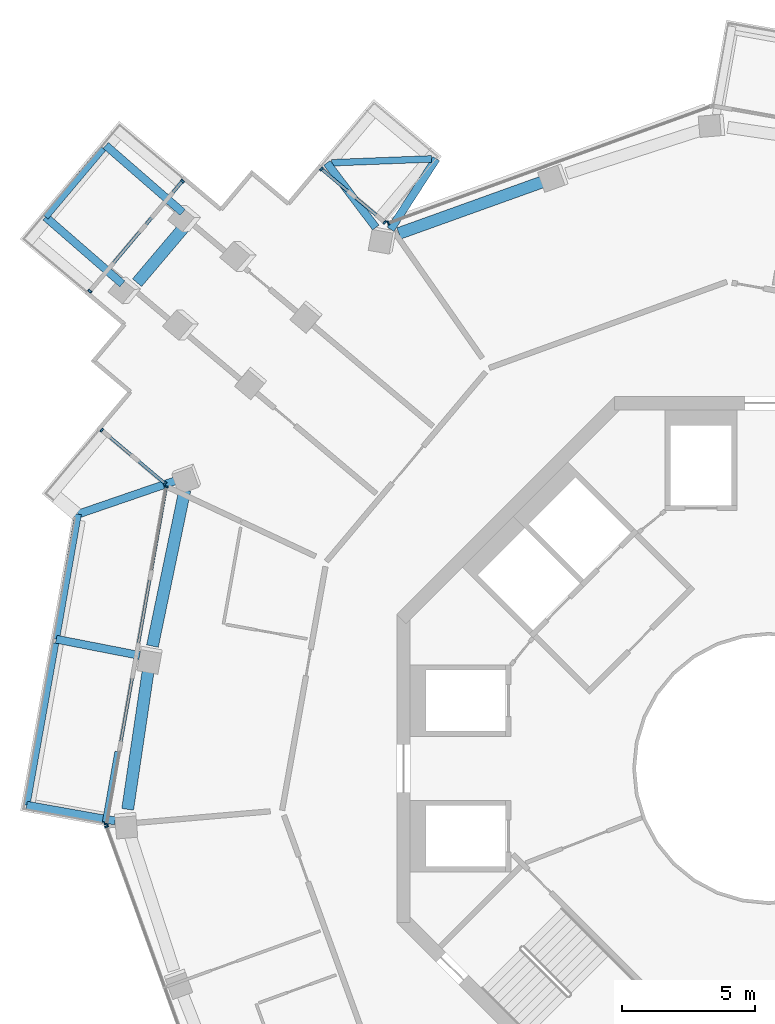
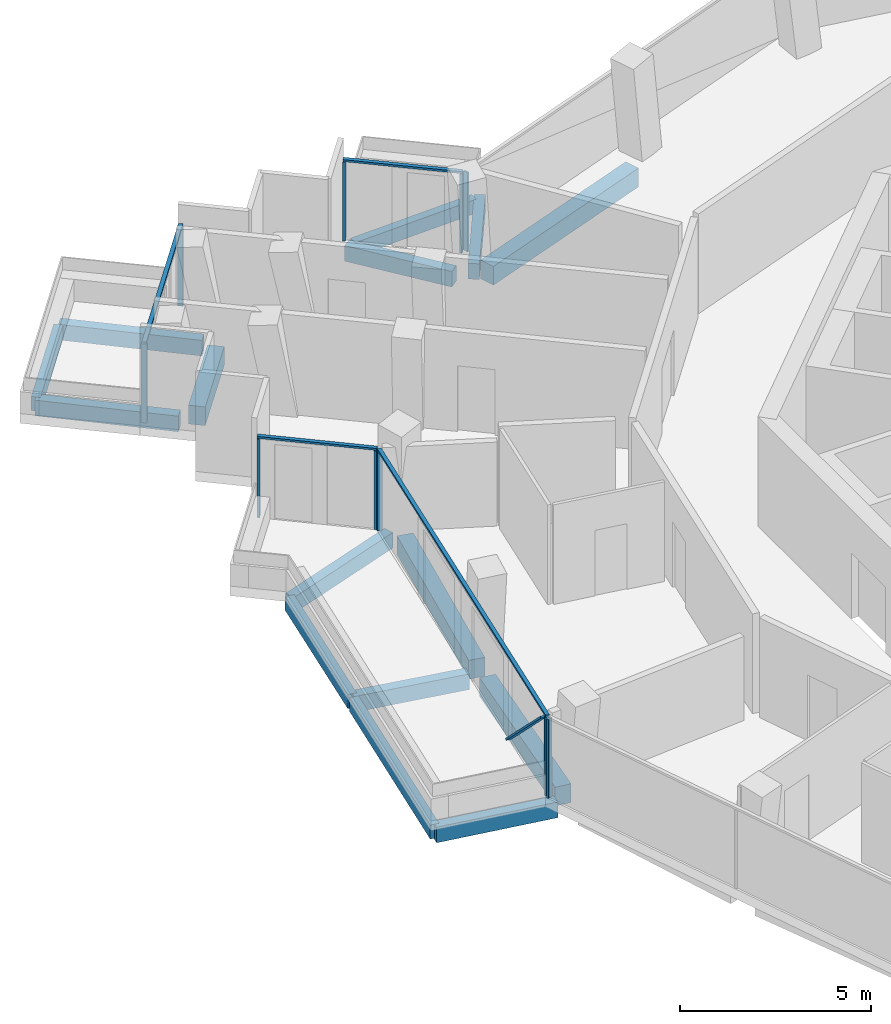
# One storey, part 5 of 22: 15 beams, 15 members, 6 elements without a shape of their own.
"""IFC4 building model written with IfcOpenShell, lengths in metres."""

from ifc_helpers import new_model, si_unit, direction, frame, origin, origin_2d, place, context, subcontext, project, spatial, rectangle, extrude, material, layer, layer_set, material_profile, profile_set, type_object, element, aggregate, save


model = new_model("IFC4")

# Units and contexts
model_context = context("Model", 3, precision=1e-05, world=origin(), true_north=direction((0.0, 1.0)))
body_context = subcontext(model_context, "Body", "Model", "MODEL_VIEW")
ifc_project = project(units=[si_unit("LENGTHUNIT", "METRE"), si_unit("AREAUNIT", "SQUARE_METRE"), si_unit("VOLUMEUNIT", "CUBIC_METRE"), si_unit("PLANEANGLEUNIT", "RADIAN"), si_unit("MASSUNIT", "GRAM", prefix="KILO")], contexts=[model_context])

# Site, building, storey
site_placement = place(None, origin())
site = spatial("IfcSite", under=ifc_project, at=site_placement, CompositionType="ELEMENT")
building_placement = place(site_placement, origin())
building = spatial("IfcBuilding", under=site, at=building_placement, Name="Verdalira Terraces Hotel", CompositionType="ELEMENT")
storey_placement = place(building_placement, frame((0.0, 0.0, 237.5)))
storey = spatial("IfcBuildingStorey", under=building, at=storey_placement, Name="L58", CompositionType="ELEMENT", Elevation=237.5)

# Beams
ifc_material_1 = material(Name="Concrete C40", Category="concrete")
ifc_material_profile_1 = material_profile(ifc_material_1, rectangle(XDim=0.300049, YDim=0.5, at=origin_2d()), Name="RC 300X500")
ifc_profile_set_1 = profile_set([ifc_material_profile_1], Name="Concrete C40")
beam_type_1 = type_object("IfcBeamType", Name="Balcony cantilever beam RC 300X500 C40", PredefinedType="BEAM", material=ifc_profile_set_1)
beam_1_placement = place(storey_placement, frame((-14.791504, 20.359619, -0.560059), z_axis=(-0.603415149, 0.797427212, 0.0), x_axis=(-0.797427212, -0.603415149, 0.0)))
element("IfcBeam", 1, at=beam_1_placement, inside=storey, type_object=beam_type_1, Name="Balcony cantilever beam R00-1", PredefinedType="BEAM", context=body_context, shape_type="SweptSolid", body=[
    extrude(rectangle(XDim=0.300049, YDim=0.5, at=origin_2d()), origin(), (0.0, 0.0, 1.0), 3.049072),
])
beam_2_placement = place(storey_placement, frame((-14.233643, 20.293457, -0.560059), z_axis=(0.542944038, 0.83976888, 0.0), x_axis=(-0.83976888, 0.542944038, 0.0)))
element("IfcBeam", 2, at=beam_2_placement, inside=storey, type_object=beam_type_1, Name="Balcony cantilever beam R00-2", PredefinedType="BEAM", context=body_context, shape_type="SweptSolid", body=[
    extrude(rectangle(XDim=0.300049, YDim=0.5, at=origin_2d()), origin(), (0.0, 0.0, 1.0), 3.16333),
])
beam_3_placement = place(storey_placement, frame((-22.060547, 20.928711, -0.560059), z_axis=(-0.754271488, 0.656562657, 0.0), x_axis=(-0.656562657, -0.754271488, 0.0)))
element("IfcBeam", 3, at=beam_3_placement, inside=storey, type_object=beam_type_1, Name="Balcony cantilever beam R05-1", PredefinedType="BEAM", context=body_context, shape_type="SweptSolid", body=[
    extrude(rectangle(XDim=0.300049, YDim=0.5, at=origin_2d()), origin(), (0.0, 0.0, 1.0), 3.840332),
])
beam_4_placement = place(storey_placement, frame((-24.330811, 18.23877, -0.560059), z_axis=(-0.754242254, 0.65659624, 0.0), x_axis=(-0.65659624, -0.754242254, 0.0)))
element("IfcBeam", 4, at=beam_4_placement, inside=storey, type_object=beam_type_1, Name="Balcony cantilever beam R05-2", PredefinedType="BEAM", context=body_context, shape_type="SweptSolid", body=[
    extrude(rectangle(XDim=0.300049, YDim=0.5, at=origin_2d()), origin(), (0.0, 0.0, 1.0), 3.835449),
])
beam_5_placement = place(storey_placement, frame((-22.26123, 10.854736, -0.560059), z_axis=(-0.945738248, -0.32492948, 0.0), x_axis=(0.32492948, -0.945738248, 0.0)))
element("IfcBeam", 5, at=beam_5_placement, inside=storey, type_object=beam_type_1, Name="Balcony cantilever beam R10-1", PredefinedType="BEAM", context=body_context, shape_type="SweptSolid", body=[
    extrude(rectangle(XDim=0.300049, YDim=0.5, at=origin_2d()), origin(), (0.0, 0.0, 1.0), 3.949951),
])
beam_6_placement = place(storey_placement, frame((-23.679199, 4.251953, -0.560059), z_axis=(-0.981502479, 0.191449427, 0.0), x_axis=(-0.191449427, -0.981502479, 0.0)))
element("IfcBeam", 6, at=beam_6_placement, inside=storey, type_object=beam_type_1, Name="Balcony cantilever beam R10-2", PredefinedType="BEAM", context=body_context, shape_type="SweptSolid", body=[
    extrude(rectangle(XDim=0.300049, YDim=0.5, at=origin_2d()), origin(), (0.0, 0.0, 1.0), 3.200928),
])
beam_7_placement = place(storey_placement, frame((-24.60498, -1.974854, -0.560059), z_axis=(-0.984555036, 0.17507536, 0.0), x_axis=(-0.17507536, -0.984555036, 0.0)))
element("IfcBeam", 7, at=beam_7_placement, inside=storey, type_object=beam_type_1, Name="Balcony cantilever beam R10-3", PredefinedType="BEAM", context=body_context, shape_type="SweptSolid", body=[
    extrude(rectangle(XDim=0.300049, YDim=0.5, at=origin_2d()), origin(), (0.0, 0.0, 1.0), 3.378906),
])
ifc_material_2 = material(Name="Concrete C40", Category="concrete")
ifc_material_profile_2 = material_profile(ifc_material_2, rectangle(XDim=0.25, YDim=0.449951, at=origin_2d()), Name="RC 250X450")
ifc_profile_set_2 = profile_set([ifc_material_profile_2], Name="Concrete C40")
beam_type_2 = type_object("IfcBeamType", Name="Balcony edge beam RC 250X450 C40", PredefinedType="BEAM", material=ifc_profile_set_2)
beam_8_placement = place(storey_placement, frame((-16.448486, 22.798096, -0.534912), z_axis=(0.9992553, 0.038585557, 0.0), x_axis=(-0.038585557, 0.9992553, 0.0)))
element("IfcBeam", 8, at=beam_8_placement, inside=storey, type_object=beam_type_2, Name="Balcony edge beam R00-1", PredefinedType="BEAM", context=body_context, shape_type="SweptSolid", body=[
    extrude(rectangle(XDim=0.25, YDim=0.449951, at=origin_2d()), origin(), (0.0, 0.0, 1.0), 3.751953),
])
beam_9_placement = place(storey_placement, frame((-25.053955, 23.335449, -0.534912), z_axis=(-0.643861288, -0.765142237, 0.0), x_axis=(0.765142237, -0.643861288, 0.0)))
element("IfcBeam", 9, at=beam_9_placement, inside=storey, type_object=beam_type_2, Name="Balcony edge beam R05-1", PredefinedType="BEAM", context=body_context, shape_type="SweptSolid", body=[
    extrude(rectangle(XDim=0.25, YDim=0.449951, at=origin_2d()), origin(), (0.0, 0.0, 1.0), 3.369873),
])
beam_10_placement = place(storey_placement, frame((-25.996826, 9.571289, -0.534912), z_axis=(-0.172447261, -0.985018752, 0.0), x_axis=(0.985018752, -0.172447261, 0.0)))
element("IfcBeam", 10, at=beam_10_placement, inside=storey, type_object=beam_type_2, Name="Balcony edge beam R10-1", PredefinedType="BEAM", context=body_context, shape_type="SweptSolid", body=[
    extrude(rectangle(XDim=0.25, YDim=0.449951, at=origin_2d()), origin(), (0.0, 0.0, 1.0), 4.778076),
])
beam_11_placement = place(storey_placement, frame((-26.847168, 4.717041, -0.534912), z_axis=(-0.175028242, -0.984563413, 0.0), x_axis=(0.984563413, -0.175028242, 0.0)))
element("IfcBeam", 11, at=beam_11_placement, inside=storey, type_object=beam_type_2, Name="Balcony edge beam R10-2", PredefinedType="BEAM", context=body_context, shape_type="SweptSolid", body=[
    extrude(rectangle(XDim=0.25, YDim=0.449951, at=origin_2d()), origin(), (0.0, 0.0, 1.0), 6.196045),
])

# Curtain wall, members
ifc_material_3 = material(Name="Clear glass", Category="glass")
ifc_layer_1 = layer(ifc_material_3, 0.14990234375)
ifc_layer_set_1 = layer_set([ifc_layer_1], Name="CW1 curtain wall")
curtain_wall_type_1 = type_object("IfcCurtainWallType", Name="CW1 curtain wall", PredefinedType="NOTDEFINED", material=ifc_layer_set_1)
curtain_wall_1_placement = place(storey_placement, origin())
curtain_wall_1 = element("IfcCurtainWall", 12, at=curtain_wall_1_placement, inside=storey, type_object=curtain_wall_type_1, Name="CW1 curtain wall L58 edge 11", PredefinedType="NOTDEFINED")
ifc_material_4 = material(Name="Terracotta frame", Category="masonry")
ifc_material_profile_3 = material_profile(ifc_material_4, rectangle(XDim=0.060059, YDim=0.149902, at=origin_2d()), Name="MU 60x150")
ifc_profile_set_3 = profile_set([ifc_material_profile_3], Name="Terracotta frame")
member_type_1 = type_object("IfcMemberType", Name="CW1 mullion 60x150", PredefinedType="MULLION", material=ifc_profile_set_3)
member_1_placement = place(storey_placement, frame((-22.677734, 10.602783, 0.0), z_axis=(0.0, 0.0, 1.0), x_axis=(-0.175023059, -0.984564335, 0.0)))
member_1 = element("IfcMember", 13, at=member_1_placement, type_object=member_type_1, Name="CW1 mullion", PredefinedType="MULLION", context=body_context, shape_type="SweptSolid", body=[
    extrude(rectangle(XDim=0.060059, YDim=0.149902, at=origin_2d()), origin(), (0.0, 0.0, 1.0), 2.524902),
])
member_2_placement = place(storey_placement, frame((-24.935303, -2.0979, 0.0), z_axis=(0.0, 0.0, 1.0), x_axis=(-0.175023059, -0.984564335, 0.0)))
member_2 = element("IfcMember", 14, at=member_2_placement, type_object=member_type_1, Name="CW1 mullion", PredefinedType="MULLION", context=body_context, shape_type="SweptSolid", body=[
    extrude(rectangle(XDim=0.060059, YDim=0.149902, at=origin_2d()), origin(), (0.0, 0.0, 1.0), 2.524902),
])

# Curtain wall, member
curtain_wall_2_placement = place(storey_placement, origin())
curtain_wall_2 = element("IfcCurtainWall", 15, at=curtain_wall_2_placement, inside=storey, type_object=curtain_wall_type_1, Name="CW1 curtain wall L58 edge 12", PredefinedType="NOTDEFINED")
member_3_placement = place(storey_placement, frame((-24.927002, -2.194336, 0.0), z_axis=(0.0, 0.0, 1.0), x_axis=(0.340707752, -0.940169255, 0.0)))
member_3 = element("IfcMember", 16, at=member_3_placement, type_object=member_type_1, Name="CW1 mullion", PredefinedType="MULLION", context=body_context, shape_type="SweptSolid", body=[
    extrude(rectangle(XDim=0.060059, YDim=0.149902, at=origin_2d()), origin(), (0.0, 0.0, 1.0), 2.524902),
])
aggregate(curtain_wall_2, [member_3])

curtain_wall_3_placement = place(storey_placement, origin())
curtain_wall_3 = element("IfcCurtainWall", 17, at=curtain_wall_3_placement, inside=storey, type_object=curtain_wall_type_1, Name="CW1 curtain wall L58 edge 41", PredefinedType="NOTDEFINED")
member_4_placement = place(storey_placement, frame((-14.322266, 20.531982, 0.0), z_axis=(0.0, 0.0, 1.0), x_axis=(-0.940169255, -0.340707752, 0.0)))
member_4 = element("IfcMember", 18, at=member_4_placement, type_object=member_type_1, Name="CW1 mullion", PredefinedType="MULLION", context=body_context, shape_type="SweptSolid", body=[
    extrude(rectangle(XDim=0.060059, YDim=0.149902, at=origin_2d()), origin(), (0.0, 0.0, 1.0), 2.524902),
])
aggregate(curtain_wall_3, [member_4])

# Member
ifc_material_5 = material(Name="Terracotta frame", Category="masonry")
ifc_material_profile_4 = material_profile(ifc_material_5, rectangle(XDim=0.110107, YDim=0.064941, at=origin_2d()), Name="TR 65x110")
ifc_profile_set_4 = profile_set([ifc_material_profile_4], Name="Terracotta frame")
member_type_2 = type_object("IfcMemberType", Name="CW1 transom 65x110", PredefinedType="USERDEFINED", material=ifc_profile_set_4)
member_5_placement = place(storey_placement, frame((-22.672363, 10.632324, 2.557617), z_axis=(-0.175026436, -0.984563734, 0.0), x_axis=(0.984563734, -0.175026436, 0.0)))
member_5 = element("IfcMember", 19, at=member_5_placement, type_object=member_type_2, Name="CW1 transom", ObjectType="TRANSOM", PredefinedType="USERDEFINED", context=body_context, shape_type="SweptSolid", body=[
    extrude(rectangle(XDim=0.110107, YDim=0.064941, at=origin_2d()), origin(), (0.0, 0.0, 1.0), 12.959717),
])

# Curtain wall, members
ifc_material_6 = material(Name="Clear glass", Category="glass")
ifc_layer_2 = layer(ifc_material_6, 0.14990234375)
ifc_layer_set_2 = layer_set([ifc_layer_2], Name="CW2 curtain wall")
curtain_wall_type_2 = type_object("IfcCurtainWallType", Name="CW2 curtain wall", PredefinedType="NOTDEFINED", material=ifc_layer_set_2)
curtain_wall_4_placement = place(storey_placement, origin())
curtain_wall_4 = element("IfcCurtainWall", 20, at=curtain_wall_4_placement, inside=storey, type_object=curtain_wall_type_2, Name="CW2 curtain wall L58 edge 0", PredefinedType="NOTDEFINED")
ifc_material_7 = material(Name="Terracotta frame", Category="masonry")
ifc_material_profile_5 = material_profile(ifc_material_7, rectangle(XDim=0.070068, YDim=0.149902, at=origin_2d()), Name="MU 70x150")
ifc_profile_set_5 = profile_set([ifc_material_profile_5], Name="Terracotta frame")
member_type_3 = type_object("IfcMemberType", Name="CW2 mullion 70x150", PredefinedType="MULLION", material=ifc_profile_set_5)
member_6_placement = place(storey_placement, frame((-14.451172, 20.557373, 0.0), z_axis=(0.0, 0.0, 1.0), x_axis=(-0.765146196, 0.643856583, 0.0)))
member_6 = element("IfcMember", 21, at=member_6_placement, type_object=member_type_3, Name="CW2 mullion", PredefinedType="MULLION", context=body_context, shape_type="SweptSolid", body=[
    extrude(rectangle(XDim=0.070068, YDim=0.149902, at=origin_2d()), origin(), (0.0, 0.0, 1.0), 2.524902),
])
member_7_placement = place(storey_placement, frame((-16.835693, 22.563965, 0.0), z_axis=(0.0, 0.0, 1.0), x_axis=(-0.765146196, 0.643856583, 0.0)))
member_7 = element("IfcMember", 22, at=member_7_placement, type_object=member_type_3, Name="CW2 mullion", PredefinedType="MULLION", context=body_context, shape_type="SweptSolid", body=[
    extrude(rectangle(XDim=0.070068, YDim=0.149902, at=origin_2d()), origin(), (0.0, 0.0, 1.0), 2.524902),
])

curtain_wall_5_placement = place(storey_placement, origin())
curtain_wall_5 = element("IfcCurtainWall", 23, at=curtain_wall_5_placement, inside=storey, type_object=curtain_wall_type_2, Name="CW2 curtain wall L58 edge 10", PredefinedType="NOTDEFINED")
member_8_placement = place(storey_placement, frame((-25.109131, 12.731689, 0.0), z_axis=(0.0, 0.0, 1.0), x_axis=(0.765146196, -0.643856583, 0.0)))
member_8 = element("IfcMember", 24, at=member_8_placement, type_object=member_type_3, Name="CW2 mullion", PredefinedType="MULLION", context=body_context, shape_type="SweptSolid", body=[
    extrude(rectangle(XDim=0.070068, YDim=0.149902, at=origin_2d()), origin(), (0.0, 0.0, 1.0), 2.524902),
])
member_9_placement = place(storey_placement, frame((-22.724609, 10.725342, 0.0), z_axis=(0.0, 0.0, 1.0), x_axis=(0.765146196, -0.643856583, 0.0)))
member_9 = element("IfcMember", 25, at=member_9_placement, type_object=member_type_3, Name="CW2 mullion", PredefinedType="MULLION", context=body_context, shape_type="SweptSolid", body=[
    extrude(rectangle(XDim=0.070068, YDim=0.149902, at=origin_2d()), origin(), (0.0, 0.0, 1.0), 2.524902),
])

# Member
ifc_material_8 = material(Name="Terracotta frame", Category="masonry")
ifc_material_profile_6 = material_profile(ifc_material_8, rectangle(XDim=0.11499, YDim=0.064941, at=origin_2d()), Name="TR 65x115")
ifc_profile_set_6 = profile_set([ifc_material_profile_6], Name="Terracotta frame")
member_type_4 = type_object("IfcMemberType", Name="CW2 transom 65x115", PredefinedType="USERDEFINED", material=ifc_profile_set_6)
member_10_placement = place(storey_placement, frame((-14.424316, 20.534912, 2.557617), z_axis=(-0.765147594, 0.643854921, 0.0), x_axis=(-0.643854921, -0.765147594, 0.0)))
member_10 = element("IfcMember", 26, at=member_10_placement, type_object=member_type_4, Name="CW2 transom", ObjectType="TRANSOM", PredefinedType="USERDEFINED", context=body_context, shape_type="SweptSolid", body=[
    extrude(rectangle(XDim=0.11499, YDim=0.064941, at=origin_2d()), origin(), (0.0, 0.0, 1.0), 3.186279),
])

aggregate(curtain_wall_4, [member_6, member_7, member_10])

member_11_placement = place(storey_placement, frame((-25.135986, 12.754395, 2.557617), z_axis=(0.765147594, -0.643854921, 0.0), x_axis=(0.643854921, 0.765147594, 0.0)))
member_11 = element("IfcMember", 27, at=member_11_placement, type_object=member_type_4, Name="CW2 transom", ObjectType="TRANSOM", PredefinedType="USERDEFINED", context=body_context, shape_type="SweptSolid", body=[
    extrude(rectangle(XDim=0.11499, YDim=0.064941, at=origin_2d()), origin(), (0.0, 0.0, 1.0), 3.186279),
])

aggregate(curtain_wall_5, [member_8, member_9, member_11])

# Curtain wall, members
ifc_material_9 = material(Name="Clear glass", Category="glass")
ifc_layer_3 = layer(ifc_material_9, 0.14990234375)
ifc_layer_set_3 = layer_set([ifc_layer_3], Name="CW3 curtain wall")
curtain_wall_type_3 = type_object("IfcCurtainWallType", Name="CW3 curtain wall", PredefinedType="NOTDEFINED", material=ifc_layer_set_3)
curtain_wall_6_placement = place(storey_placement, origin())
curtain_wall_6 = element("IfcCurtainWall", 28, at=curtain_wall_6_placement, inside=storey, type_object=curtain_wall_type_3, Name="CW3 curtain wall L58 edge 5", PredefinedType="NOTDEFINED")
ifc_material_10 = material(Name="Terracotta frame", Category="masonry")
ifc_material_profile_7 = material_profile(ifc_material_10, rectangle(XDim=0.080078, YDim=0.149902, at=origin_2d()), Name="MU 80x150")
ifc_profile_set_7 = profile_set([ifc_material_profile_7], Name="Terracotta frame")
member_type_5 = type_object("IfcMemberType", Name="CW3 mullion 80x150", PredefinedType="MULLION", material=ifc_profile_set_7)
member_12_placement = place(storey_placement, frame((-22.066162, 22.110107, 0.0), z_axis=(0.0, 0.0, 1.0), x_axis=(-0.643856583, -0.765146196, 0.0)))
member_12 = element("IfcMember", 29, at=member_12_placement, type_object=member_type_5, Name="CW3 mullion", PredefinedType="MULLION", context=body_context, shape_type="SweptSolid", body=[
    extrude(rectangle(XDim=0.080078, YDim=0.149902, at=origin_2d()), origin(), (0.0, 0.0, 1.0), 2.524902),
])
member_13_placement = place(storey_placement, frame((-25.555908, 17.963135, 0.0), z_axis=(0.0, 0.0, 1.0), x_axis=(-0.643856583, -0.765146196, 0.0)))
member_13 = element("IfcMember", 30, at=member_13_placement, type_object=member_type_5, Name="CW3 mullion", PredefinedType="MULLION", context=body_context, shape_type="SweptSolid", body=[
    extrude(rectangle(XDim=0.080078, YDim=0.149902, at=origin_2d()), origin(), (0.0, 0.0, 1.0), 2.524902),
])
ifc_material_11 = material(Name="Terracotta frame", Category="masonry")
ifc_material_profile_8 = material_profile(ifc_material_11, rectangle(XDim=0.120117, YDim=0.064941, at=origin_2d()), Name="TR 65x120")
ifc_profile_set_8 = profile_set([ifc_material_profile_8], Name="Terracotta frame")
member_type_6 = type_object("IfcMemberType", Name="CW3 transom 65x120", PredefinedType="USERDEFINED", material=ifc_profile_set_8)
member_14_placement = place(storey_placement, frame((-22.040527, 22.140625, 2.557617), z_axis=(-0.643840432, -0.765159786, 0.0), x_axis=(0.765159786, -0.643840432, 0.0)))
member_14 = element("IfcMember", 31, at=member_14_placement, type_object=member_type_6, Name="CW3 transom", ObjectType="TRANSOM", PredefinedType="USERDEFINED", context=body_context, shape_type="SweptSolid", body=[
    extrude(rectangle(XDim=0.120117, YDim=0.064941, at=origin_2d()), origin(), (0.0, 0.0, 1.0), 5.499756),
])
aggregate(curtain_wall_6, [member_12, member_13, member_14])

# Member
ifc_material_12 = material(Name="Terracotta frame", Category="masonry")
ifc_material_profile_9 = material_profile(ifc_material_12, rectangle(XDim=0.149902, YDim=0.060059, at=origin_2d()), Name="GB 60x150")
ifc_profile_set_9 = profile_set([ifc_material_profile_9], Name="Terracotta frame")
member_type_7 = type_object("IfcMemberType", Name="Diagonal glazing bar 60x150", PredefinedType="USERDEFINED", material=ifc_profile_set_9)
member_15_placement = place(storey_placement, frame((-24.542969, 0.618408, 0.023438), z_axis=(-0.128684169, -0.723823409, 0.677879087), x_axis=(0.984561464, -0.175039205, 0.0)))
member_15 = element("IfcMember", 32, at=member_15_placement, type_object=member_type_7, Name="Diagonal glazing bar", ObjectType="GLAZING BAR", PredefinedType="USERDEFINED", context=body_context, shape_type="SweptSolid", body=[
    extrude(rectangle(XDim=0.149902, YDim=0.060059, at=origin_2d()), origin(), (0.0, 0.0, 1.0), 3.656006),
])

aggregate(curtain_wall_1, [member_1, member_2, member_5, member_15])

# Beams
ifc_material_13 = material(Name="Concrete C40", Category="concrete")
ifc_material_profile_10 = material_profile(ifc_material_13, rectangle(XDim=0.449951, YDim=0.600098, at=origin_2d()), Name="RC 450X600")
ifc_profile_set_10 = profile_set([ifc_material_profile_10], Name="Concrete C40")
beam_type_3 = type_object("IfcBeamType", Name="Spandrel beam RC 450X600 C40", PredefinedType="SPANDREL", material=ifc_profile_set_10)
beam_12_placement = place(storey_placement, frame((-21.96167, 20.429443, -0.610107), z_axis=(-0.646078533, -0.763270941, 0.0), x_axis=(0.763270941, -0.646078533, 0.0)))
element("IfcBeam", 33, at=beam_12_placement, inside=storey, type_object=beam_type_3, Name="Spandrel beam B01", PredefinedType="SPANDREL", context=body_context, shape_type="SweptSolid", body=[
    extrude(rectangle(XDim=0.449951, YDim=0.600098, at=origin_2d()), origin(), (0.0, 0.0, 1.0), 2.810303),
])
beam_13_placement = place(storey_placement, frame((-21.978516, 10.479248, -0.610107), z_axis=(-0.203302578, -0.979115959, 0.0), x_axis=(0.979115959, -0.203302578, 0.0)))
element("IfcBeam", 34, at=beam_13_placement, inside=storey, type_object=beam_type_3, Name="Spandrel beam B02", PredefinedType="SPANDREL", context=body_context, shape_type="SweptSolid", body=[
    extrude(rectangle(XDim=0.449951, YDim=0.600098, at=origin_2d()), origin(), (0.0, 0.0, 1.0), 5.999512),
])
beam_14_placement = place(storey_placement, frame((-23.341797, 3.79541, -0.610107), z_axis=(-0.146501094, -0.989210508, 0.0), x_axis=(0.989210508, -0.146501094, 0.0)))
element("IfcBeam", 35, at=beam_14_placement, inside=storey, type_object=beam_type_3, Name="Spandrel beam B03", PredefinedType="SPANDREL", context=body_context, shape_type="SweptSolid", body=[
    extrude(rectangle(XDim=0.449951, YDim=0.600098, at=origin_2d()), origin(), (0.0, 0.0, 1.0), 5.394287),
])
beam_15_placement = place(storey_placement, frame((-8.377197, 22.128906, -0.610107), z_axis=(-0.941156489, -0.337971098, 0.0), x_axis=(0.337971098, -0.941156489, 0.0)))
element("IfcBeam", 36, at=beam_15_placement, inside=storey, type_object=beam_type_3, Name="Spandrel beam B23", PredefinedType="SPANDREL", context=body_context, shape_type="SweptSolid", body=[
    extrude(rectangle(XDim=0.449951, YDim=0.600098, at=origin_2d()), origin(), (0.0, 0.0, 1.0), 5.892334),
])

save(model, "model.ifc")
